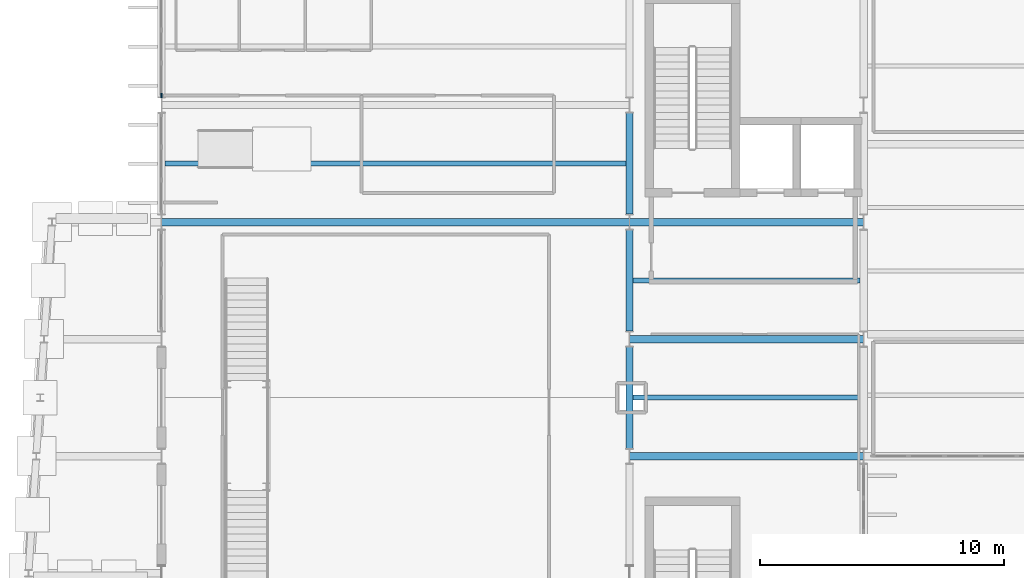
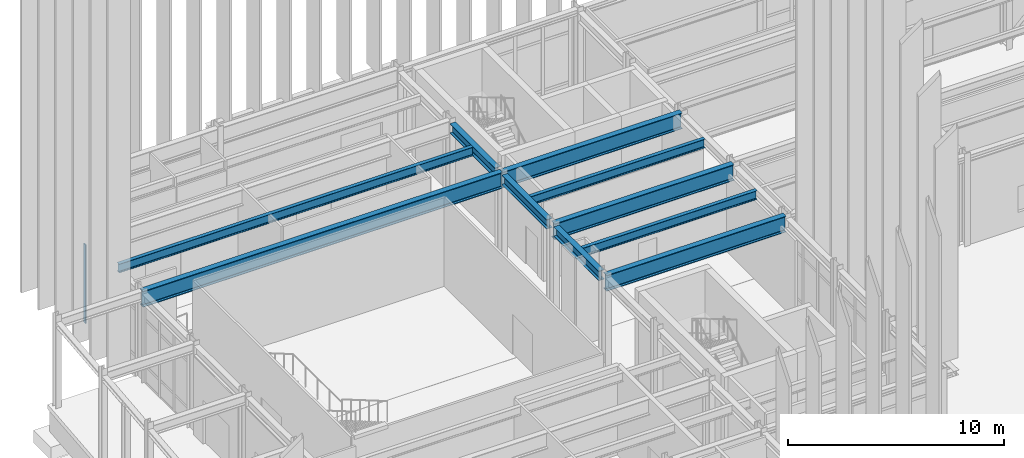
# One storey, part 47 of 109: 10 beams, 1 member, 1 element without a shape of its own.
"""IFC4 building model written with IfcOpenShell, lengths in metres."""

from ifc_helpers import new_model, si_unit, direction, frame, origin, origin_2d, place, context, subcontext, project, spatial, rectangle, i_section, extrude, material, layer, layer_set, material_profile, profile_set, type_object, element, aggregate, save


model = new_model("IFC4")

# Units and contexts
model_context = context("Model", 3, precision=1e-05, world=origin(), true_north=direction((0.0, 1.0)))
body_context = subcontext(model_context, "Body", "Model", "MODEL_VIEW")
ifc_project = project(units=[si_unit("LENGTHUNIT", "METRE"), si_unit("AREAUNIT", "SQUARE_METRE"), si_unit("VOLUMEUNIT", "CUBIC_METRE"), si_unit("PLANEANGLEUNIT", "RADIAN"), si_unit("MASSUNIT", "GRAM", prefix="KILO")], contexts=[model_context])

# Site, building, storey
site_placement = place(None, origin())
site = spatial("IfcSite", under=ifc_project, at=site_placement, CompositionType="ELEMENT")
building_placement = place(site_placement, origin())
building = spatial("IfcBuilding", under=site, at=building_placement, Name="Nordkorset Police Headquarters", CompositionType="ELEMENT")
storey_placement = place(building_placement, origin())
storey = spatial("IfcBuildingStorey", under=building, at=storey_placement, Name="L00", CompositionType="ELEMENT", Elevation=0.0)

# Beams
ifc_material_1 = material(Name="Steel S355J2", Category="steel")
ifc_material_profile_1 = material_profile(ifc_material_1, i_section(OverallWidth=0.199951171875, OverallDepth=0.5, WebThickness=0.01025390625, FlangeThickness=0.01611328125, FilletRadius=0.02099609375, at=origin_2d()), Name="IPE 500")
ifc_profile_set_1 = profile_set([ifc_material_profile_1], Name="Steel S355J2")
beam_type_1 = type_object("IfcBeamType", Name="Beam_IPE_500", PredefinedType="BEAM", material=ifc_profile_set_1)
beam_1_placement = place(storey_placement, frame((0.14990234375, 109.60009765625, 4.75), z_axis=(1.0, 0.0, 0.0), x_axis=(0.0, 1.0, 0.0)))
element("IfcBeam", 1, at=beam_1_placement, inside=storey, type_object=beam_type_1, Name="Composite Floor Beam V1 L00 0-5-1", PredefinedType="BEAM", context=body_context, shape_type="SweptSolid", body=[
    extrude(i_section(OverallWidth=0.199951171875, OverallDepth=0.5, WebThickness=0.01025390625, FlangeThickness=0.01611328125, FilletRadius=0.02099609375, at=origin_2d()), origin(), (0.0, 0.0, 1.0), 18.900146484375),
])
for number, where, z_axis, x_axis, name in (
    (2, (19.35009765625, 100.0, 4.75), (1.0, 0.0, 0.0), (0.0, 1.0, 0.0), "Composite Floor Beam V1 L00 1-3-1"),
    (3, (19.35009765625, 104.800048828125, 4.75), (1.0, 0.0, 0.0), (0.0, 1.0, 0.0), "Composite Floor Beam V1 L00 1-4-1"),
):
    element("IfcBeam", number, at=place(storey_placement, frame(where, z_axis=z_axis, x_axis=x_axis)), inside=storey, type_object=beam_type_1, Name=name, PredefinedType="BEAM", context=body_context, shape_type="SweptSolid", body=[
        extrude(i_section(OverallWidth=0.199951171875, OverallDepth=0.5, WebThickness=0.01025390625, FlangeThickness=0.01611328125, FilletRadius=0.02099609375, at=origin_2d()), origin(), (0.0, 0.0, 1.0), 9.2998046875),
    ])

# Curtain wall, member
ifc_material_2 = material(Name="Aluminium alloy AW-6060", Category="aluminium")
ifc_layer = layer(ifc_material_2, 0.179931640625, Name="Aluminium alloy AW-6060")
ifc_layer_set = layer_set([ifc_layer], Name="Aluminium alloy AW-6060")
curtain_wall_type = type_object("IfcCurtainWallType", Name="CW_Unit_408x444", PredefinedType="USERDEFINED", material=ifc_layer_set)
curtain_wall_placement = place(storey_placement, origin())
curtain_wall = element("IfcCurtainWall", 4, at=curtain_wall_placement, inside=storey, type_object=curtain_wall_type, Name="Unitised Curtain Wall L00 V1W-6", ObjectType="UNITISED CURTAIN WALL", PredefinedType="USERDEFINED")
ifc_material_3 = material(Name="Aluminium alloy AW-6060", Category="aluminium")
ifc_material_profile_2 = material_profile(ifc_material_3, rectangle(XDim=0.06494140625, YDim=0.179931640625, at=origin_2d()), Name="ALU MULL 65x180")
ifc_profile_set_2 = profile_set([ifc_material_profile_2], Name="Aluminium alloy AW-6060")
member_type = type_object("IfcMemberType", Name="CW_Mullion_65x180", PredefinedType="MULLION", material=ifc_profile_set_2)
member_placement = place(storey_placement, frame((0.0, 112.392578125, 0.0), z_axis=(0.0, 0.0, 1.0), x_axis=(-1.0, 0.0, 0.0)))
member = element("IfcMember", 5, at=member_placement, type_object=member_type, Name="CW-66 mullion 1", PredefinedType="MULLION", context=body_context, shape_type="SweptSolid", body=[
    extrude(rectangle(XDim=0.06494140625, YDim=0.179931640625, at=origin_2d()), origin(), (0.0, 0.0, 1.0), 4.43994140625),
])
aggregate(curtain_wall, [member])

# Beams
ifc_material_4 = material(Name="Steel S355J2", Category="steel")
ifc_material_profile_3 = material_profile(ifc_material_4, i_section(OverallWidth=0.300048828125, OverallDepth=0.5400390625, WebThickness=0.012451171875, FlangeThickness=0.02392578125, FilletRadius=0.027099609375, at=origin_2d()), Name="HEA 550")
ifc_profile_set_3 = profile_set([ifc_material_profile_3], Name="Steel S355J2")
beam_type_2 = type_object("IfcBeamType", Name="Girder_HEA_550", PredefinedType="USERDEFINED", material=ifc_profile_set_3)
for number, where, z_axis, x_axis, name in (
    (6, (19.199951171875, 97.925048828125, 4.72998046875), (0.0, 1.0, 0.0), (-1.0, 0.0, 0.0), "Girder V1 L00 GY-1-3"),
    (7, (19.199951171875, 102.72509765625, 4.72998046875), (0.0, 1.0, 0.0), (-1.0, 0.0, 0.0), "Girder V1 L00 GY-1-4"),
):
    element("IfcBeam", number, at=place(storey_placement, frame(where, z_axis=z_axis, x_axis=x_axis)), inside=storey, type_object=beam_type_2, Name=name, ObjectType="GIRDER", PredefinedType="USERDEFINED", context=body_context, shape_type="SweptSolid", body=[
        extrude(i_section(OverallWidth=0.300048828125, OverallDepth=0.5400390625, WebThickness=0.012451171875, FlangeThickness=0.02392578125, FilletRadius=0.027099609375, at=origin_2d()), origin(), (0.0, 0.0, 1.0), 4.14990234375),
    ])
beam_2_placement = place(storey_placement, frame((19.199951171875, 107.52490234375, 4.72998046875), z_axis=(0.0, 1.0, 0.0), x_axis=(-1.0, 0.0, 0.0)))
element("IfcBeam", 8, at=beam_2_placement, inside=storey, type_object=beam_type_2, Name="Girder V1 L00 GY-1-5", ObjectType="GIRDER", PredefinedType="USERDEFINED", context=body_context, shape_type="SweptSolid", body=[
    extrude(i_section(OverallWidth=0.300048828125, OverallDepth=0.5400390625, WebThickness=0.012451171875, FlangeThickness=0.02392578125, FilletRadius=0.027099609375, at=origin_2d()), origin(), (0.0, 0.0, 1.0), 4.150146484375),
])
ifc_material_5 = material(Name="Steel S355J2", Category="steel")
ifc_material_profile_4 = material_profile(ifc_material_5, i_section(OverallWidth=0.300048828125, OverallDepth=0.89990234375, WebThickness=0.0185546875, FlangeThickness=0.034912109375, FilletRadius=0.030029296875, at=origin_2d()), Name="HEB 900")
ifc_profile_set_4 = profile_set([ifc_material_profile_4], Name="Steel S355J2")
beam_type_3 = type_object("IfcBeamType", Name="Girder_HEB_900", PredefinedType="USERDEFINED", material=ifc_profile_set_4)
for number, where, z_axis, x_axis, name in (
    (9, (19.2080078125, 97.60009765625, 4.550048828125), (1.0, 0.0, 0.0), (0.0, 1.0, 0.0), "Girder V1 L00 GX-3-1"),
    (10, (19.2080078125, 102.39990234375, 4.550048828125), (1.0, 0.0, 0.0), (0.0, 1.0, 0.0), "Girder V1 L00 GX-4-1"),
):
    element("IfcBeam", number, at=place(storey_placement, frame(where, z_axis=z_axis, x_axis=x_axis)), inside=storey, type_object=beam_type_3, Name=name, ObjectType="GIRDER", PredefinedType="USERDEFINED", context=body_context, shape_type="SweptSolid", body=[
        extrude(i_section(OverallWidth=0.300048828125, OverallDepth=0.89990234375, WebThickness=0.0185546875, FlangeThickness=0.034912109375, FilletRadius=0.030029296875, at=origin_2d()), origin(), (0.0, 0.0, 1.0), 9.583984375),
    ])
beam_3_placement = place(storey_placement, frame((0.008056640625, 107.199951171875, 4.550048828125), z_axis=(1.0, 0.0, 0.0), x_axis=(0.0, 1.0, 0.0)))
element("IfcBeam", 11, at=beam_3_placement, inside=storey, type_object=beam_type_3, Name="Girder V1 L00 GX-5-0", ObjectType="GIRDER", PredefinedType="USERDEFINED", context=body_context, shape_type="SweptSolid", body=[
    extrude(i_section(OverallWidth=0.300048828125, OverallDepth=0.89990234375, WebThickness=0.0185546875, FlangeThickness=0.034912109375, FilletRadius=0.030029296875, at=origin_2d()), origin(), (0.0, 0.0, 1.0), 19.183837890625),
])
beam_4_placement = place(storey_placement, frame((19.2080078125, 107.199951171875, 4.550048828125), z_axis=(1.0, 0.0, 0.0), x_axis=(0.0, 1.0, 0.0)))
element("IfcBeam", 12, at=beam_4_placement, inside=storey, type_object=beam_type_3, Name="Girder V1 L00 GX-5-1", ObjectType="GIRDER", PredefinedType="USERDEFINED", context=body_context, shape_type="SweptSolid", body=[
    extrude(i_section(OverallWidth=0.300048828125, OverallDepth=0.89990234375, WebThickness=0.0185546875, FlangeThickness=0.034912109375, FilletRadius=0.030029296875, at=origin_2d()), origin(), (0.0, 0.0, 1.0), 9.583984375),
])

save(model, "model.ifc")
